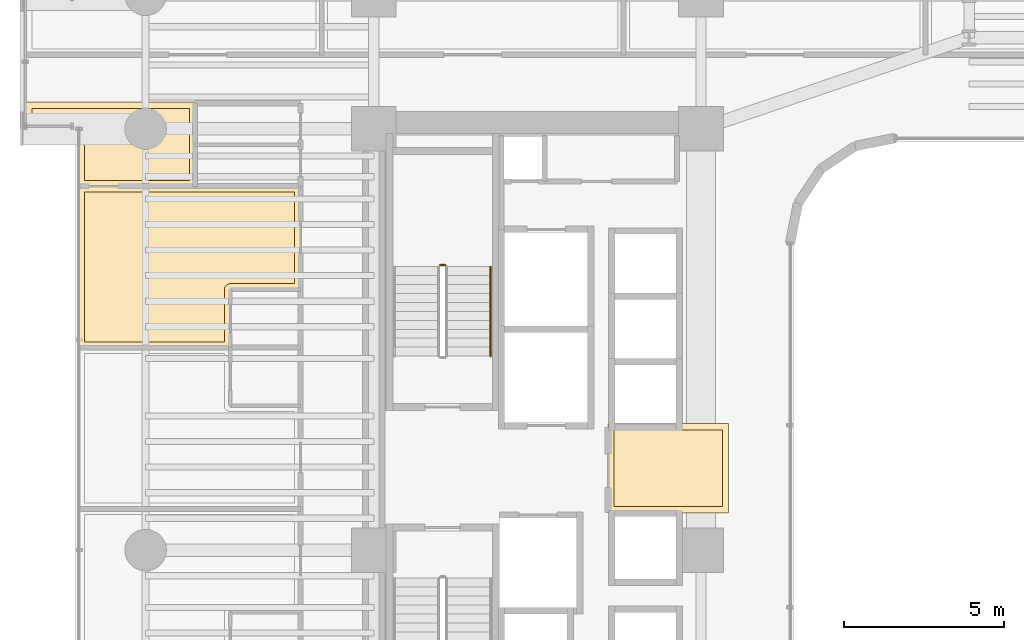
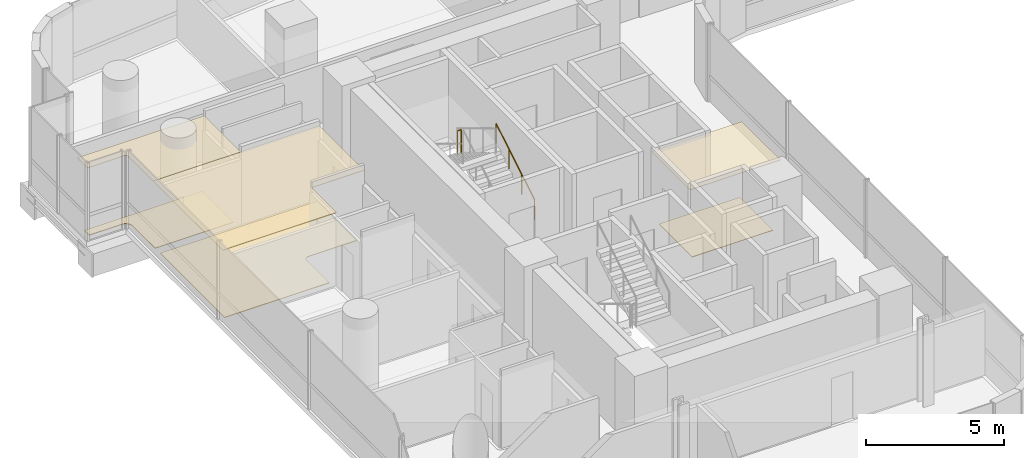
# One storey, part 38 of 40: 6 coverings, 2 railings.
"""IFC4 building model written with IfcOpenShell, lengths in metres."""

from ifc_helpers import new_model, si_unit, direction, frame, origin, origin_2d, place, context, subcontext, project, spatial, polyline, circle, outline, extrude, material, layer, layer_set, type_object, element, save


model = new_model("IFC4")

# Units and contexts
model_context = context("Model", 3, precision=1e-05, world=origin(), true_north=direction((0.0, 1.0)))
body_context = subcontext(model_context, "Body", "Model", "MODEL_VIEW")
ifc_project = project(units=[si_unit("LENGTHUNIT", "METRE"), si_unit("AREAUNIT", "SQUARE_METRE"), si_unit("VOLUMEUNIT", "CUBIC_METRE"), si_unit("PLANEANGLEUNIT", "RADIAN"), si_unit("MASSUNIT", "GRAM", prefix="KILO")], contexts=[model_context])

# Site, building, storey
site_placement = place(None, origin())
site = spatial("IfcSite", under=ifc_project, at=site_placement, CompositionType="ELEMENT")
building_placement = place(site_placement, origin())
building = spatial("IfcBuilding", under=site, at=building_placement, Name="Valdorenza Pilgrim Sanctuary Tower", CompositionType="ELEMENT")
storey_placement = place(building_placement, frame((0.0, 0.0, 81.5)))
storey = spatial("IfcBuildingStorey", under=building, at=storey_placement, Name="L20", CompositionType="ELEMENT", Elevation=81.5)

# Coverings
ifc_material_1 = material(Name="Micro-perforated acoustic mineral ceiling tile", Category="gypsum")
ifc_layer_1 = layer(ifc_material_1, 0.02490234375, Name="Micro-perforated acoustic mineral ceiling tile")
ifc_layer_set_1 = layer_set([ifc_layer_1], Name="Micro-perforated acoustic mineral ceiling tile")
covering_type_1 = type_object("IfcCoveringType", Name="COV-CLG-ACU", PredefinedType="CEILING", material=ifc_layer_set_1)
covering_1_placement = place(storey_placement, frame((0.0, 0.0, 3.159912109375)))
element("IfcCovering", 1, at=covering_1_placement, inside=storey, type_object=covering_type_1, Name="L20 Core A Passenger Lift Lobby Acoustic Ceiling", PredefinedType="CEILING", context=body_context, shape_type="SweptSolid", body=[
    extrude(outline(polyline([(-15.31298828125, 1.244384765625), (-15.31298828125, 1.24462890625), (-15.313720703125, 1.24609375), (-15.314208984375, 1.24755859375), (-15.314697265625, 1.2490234375), (-15.31494140625, 1.25048828125), (-15.31494140625, 1.251953125), (-15.31494140625, 1.35009765625), (-15.31494140625, 1.3515625), (-15.314697265625, 1.352783203125), (-15.314453125, 1.3544921875), (-15.31396484375, 1.355712890625), (-15.313232421875, 1.357177734375), (-15.3125, 1.3583984375), (-15.3115234375, 1.359619140625), (-15.310546875, 1.360595703125), (-15.3095703125, 1.361572265625), (-15.308349609375, 1.362548828125), (-15.30712890625, 1.36328125), (-15.3056640625, 1.364013671875), (-15.304443359375, 1.364501953125), (-15.302978515625, 1.36474609375), (-15.301513671875, 1.364990234375), (-15.300048828125, 1.364990234375), (-15.10205078125, 1.364990234375), (-15.1005859375, 1.364990234375), (-15.09912109375, 1.36474609375), (-15.097412109375, 1.3642578125), (-15.09619140625, 1.36376953125), (-15.0947265625, 1.363037109375), (-15.094482421875, 1.363037109375), (-13.185546875, 1.363037109375), (-13.185302734375, 1.363037109375), (-13.183837890625, 1.36376953125), (-13.1826171875, 1.3642578125), (-13.180908203125, 1.36474609375), (-13.179443359375, 1.364990234375), (-13.177978515625, 1.364990234375), (-11.550048828125, 1.364990234375), (-11.548583984375, 1.364990234375), (-11.547119140625, 1.36474609375), (-11.545654296875, 1.364501953125), (-11.544189453125, 1.364013671875), (-11.54296875, 1.36328125), (-11.541748046875, 1.362548828125), (-11.54052734375, 1.361572265625), (-11.539306640625, 1.360595703125), (-11.538330078125, 1.359619140625), (-11.53759765625, 1.3583984375), (-11.536865234375, 1.357177734375), (-11.5361328125, 1.355712890625), (-11.53564453125, 1.3544921875), (-11.535400390625, 1.352783203125), (-11.53515625, 1.3515625), (-11.534912109375, 1.35009765625), (-11.534912109375, -1.419921875), (-11.53515625, -1.42138671875), (-11.535400390625, -1.4228515625), (-11.53564453125, -1.42431640625), (-11.5361328125, -1.42578125), (-11.536865234375, -1.427001953125), (-11.53759765625, -1.42822265625), (-11.538330078125, -1.429443359375), (-11.539306640625, -1.4306640625), (-11.54052734375, -1.431640625), (-11.541748046875, -1.4326171875), (-11.54296875, -1.43310546875), (-11.544189453125, -1.433837890625), (-11.545654296875, -1.434326171875), (-11.547119140625, -1.434814453125), (-11.548583984375, -1.434814453125), (-11.550048828125, -1.43505859375), (-15.298095703125, -1.43505859375), (-15.299560546875, -1.434814453125), (-15.30078125, -1.434814453125), (-15.302490234375, -1.434326171875), (-15.3037109375, -1.433837890625), (-15.30517578125, -1.43310546875), (-15.306396484375, -1.4326171875), (-15.3076171875, -1.431640625), (-15.30859375, -1.4306640625), (-15.3095703125, -1.429443359375), (-15.310546875, -1.42822265625), (-15.311279296875, -1.427001953125), (-15.31201171875, -1.42578125), (-15.3125, -1.42431640625), (-15.312744140625, -1.4228515625), (-15.31298828125, -1.42138671875), (-15.31298828125, -1.419921875), (-15.31298828125, 1.244384765625)])), origin(), (0.0, 0.0, 1.0), 0.025146484375),
])
covering_2_placement = place(storey_placement, frame((0.0, 0.0, 3.159912109375)))
element("IfcCovering", 2, at=covering_2_placement, inside=storey, type_object=covering_type_1, Name="L20 Pilgrim Scholar Office L20-WN Acoustic Ceiling", PredefinedType="CEILING", context=body_context, shape_type="SweptSolid", body=[
    extrude(outline(polyline([(-28.237060546875, 11.39453125), (-28.237060546875, 10.103759765625), (-28.23681640625, 10.10302734375), (-28.23681640625, 10.1015625), (-28.23681640625, 10.10009765625), (-28.23681640625, 10.098388671875), (-28.237060546875, 10.09814453125), (-28.237060546875, 8.800048828125), (-28.237060546875, 8.798583984375), (-28.2373046875, 8.797119140625), (-28.237548828125, 8.795654296875), (-28.238037109375, 8.794189453125), (-28.23876953125, 8.79296875), (-28.239501953125, 8.791748046875), (-28.240478515625, 8.79052734375), (-28.241455078125, 8.789306640625), (-28.242431640625, 8.788330078125), (-28.24365234375, 8.78759765625), (-28.244873046875, 8.786865234375), (-28.246337890625, 8.7861328125), (-28.24755859375, 8.78564453125), (-28.2490234375, 8.785400390625), (-28.25048828125, 8.78515625), (-28.251953125, 8.784912109375), (-31.889892578125, 8.784912109375), (-31.8916015625, 8.78515625), (-31.892822265625, 8.785400390625), (-31.894287109375, 8.78564453125), (-31.895751953125, 8.7861328125), (-31.897216796875, 8.786865234375), (-31.898193359375, 8.78759765625), (-31.8994140625, 8.788330078125), (-31.900634765625, 8.789306640625), (-31.901611328125, 8.79052734375), (-31.902587890625, 8.791748046875), (-31.9033203125, 8.79296875), (-31.90380859375, 8.794189453125), (-31.904296875, 8.795654296875), (-31.90478515625, 8.797119140625), (-31.90478515625, 8.798583984375), (-31.905029296875, 8.800048828125), (-31.905029296875, 10.599609375), (-31.905517578125, 10.609375), (-31.90673828125, 10.618408203125), (-31.9091796875, 10.627685546875), (-31.912109375, 10.63623046875), (-31.916259765625, 10.644775390625), (-31.9208984375, 10.65283203125), (-31.926513671875, 10.660400390625), (-31.932861328125, 10.667236328125), (-31.939697265625, 10.67333984375), (-31.947265625, 10.678955078125), (-31.955078125, 10.683837890625), (-31.963623046875, 10.687744140625), (-31.972412109375, 10.69091796875), (-31.9814453125, 10.693115234375), (-31.99072265625, 10.694580078125), (-32.00048828125, 10.695068359375), (-33.5400390625, 10.695068359375), (-33.54150390625, 10.695068359375), (-33.54296875, 10.6953125), (-33.54443359375, 10.695556640625), (-33.545654296875, 10.696044921875), (-33.547119140625, 10.69677734375), (-33.54833984375, 10.697509765625), (-33.549560546875, 10.698486328125), (-33.550537109375, 10.699462890625), (-33.551513671875, 10.700439453125), (-33.552490234375, 10.70166015625), (-33.55322265625, 10.702880859375), (-33.553955078125, 10.704345703125), (-33.554443359375, 10.70556640625), (-33.5546875, 10.70703125), (-33.554931640625, 10.70849609375), (-33.554931640625, 10.7099609375), (-33.554931640625, 11.419921875), (-33.554931640625, 11.42138671875), (-33.5546875, 11.4228515625), (-33.554443359375, 11.42431640625), (-33.553955078125, 11.42578125), (-33.55322265625, 11.427001953125), (-33.552490234375, 11.42822265625), (-33.551513671875, 11.429443359375), (-33.550537109375, 11.4306640625), (-33.549560546875, 11.431640625), (-33.54833984375, 11.4326171875), (-33.547119140625, 11.43310546875), (-33.545654296875, 11.433837890625), (-33.54443359375, 11.434326171875), (-33.54296875, 11.434814453125), (-33.54150390625, 11.434814453125), (-33.5400390625, 11.43505859375), (-28.25, 11.43505859375), (-28.24853515625, 11.434814453125), (-28.2470703125, 11.434814453125), (-28.24560546875, 11.434326171875), (-28.244384765625, 11.433837890625), (-28.242919921875, 11.43310546875), (-28.24169921875, 11.4326171875), (-28.240478515625, 11.431640625), (-28.239501953125, 11.4306640625), (-28.23828125, 11.429443359375), (-28.237548828125, 11.42822265625), (-28.23681640625, 11.427001953125), (-28.236083984375, 11.42578125), (-28.235595703125, 11.42431640625), (-28.2353515625, 11.4228515625), (-28.235107421875, 11.42138671875), (-28.235107421875, 11.419921875), (-28.235107421875, 11.402099609375), (-28.235107421875, 11.400390625), (-28.2353515625, 11.39892578125), (-28.235595703125, 11.3974609375), (-28.236083984375, 11.39599609375), (-28.23681640625, 11.394775390625), (-28.237060546875, 11.39453125)])), origin(), (0.0, 0.0, 1.0), 0.025146484375),
])
covering_3_placement = place(storey_placement, frame((0.0, 0.0, 3.159912109375)))
element("IfcCovering", 3, at=covering_3_placement, inside=storey, type_object=covering_type_1, Name="L20 Pilgrim Guest Room L20-W4 Acoustic Ceiling", PredefinedType="CEILING", context=body_context, shape_type="SweptSolid", body=[
    extrude(outline(polyline([(-28.253662109375, 8.81298828125), (-28.253173828125, 8.81298828125), (-28.25146484375, 8.813232421875), (-28.25, 8.813232421875), (-28.24853515625, 8.81298828125), (-28.248291015625, 8.81298828125), (-24.949951171875, 8.81298828125), (-24.948486328125, 8.81298828125), (-24.947021484375, 8.812744140625), (-24.945556640625, 8.8125), (-24.9443359375, 8.81201171875), (-24.94287109375, 8.811279296875), (-24.941650390625, 8.810546875), (-24.9404296875, 8.8095703125), (-24.939453125, 8.80859375), (-24.9384765625, 8.8076171875), (-24.9375, 8.806396484375), (-24.936767578125, 8.80517578125), (-24.93603515625, 8.8037109375), (-24.935546875, 8.802490234375), (-24.935302734375, 8.80078125), (-24.93505859375, 8.799560546875), (-24.93505859375, 8.798095703125), (-24.93505859375, 5.56689453125), (-24.93505859375, 5.5654296875), (-24.935302734375, 5.564208984375), (-24.935546875, 5.5625), (-24.93603515625, 5.561279296875), (-24.936767578125, 5.559814453125), (-24.9375, 5.55859375), (-24.9384765625, 5.5576171875), (-24.939453125, 5.556396484375), (-24.9404296875, 5.555419921875), (-24.941650390625, 5.554443359375), (-24.94287109375, 5.5537109375), (-24.9443359375, 5.552978515625), (-24.945556640625, 5.552490234375), (-24.947021484375, 5.55224609375), (-24.948486328125, 5.552001953125), (-24.949951171875, 5.552001953125), (-27.136962890625, 5.552001953125), (-27.136962890625, 3.7470703125), (-27.13720703125, 3.74560546875), (-27.13720703125, 3.744140625), (-27.1376953125, 3.74267578125), (-27.13818359375, 3.7412109375), (-27.138916015625, 3.739990234375), (-27.139404296875, 3.73876953125), (-27.140380859375, 3.737548828125), (-27.141357421875, 3.736328125), (-27.142578125, 3.7353515625), (-27.143798828125, 3.734619140625), (-27.14501953125, 3.73388671875), (-27.146240234375, 3.733154296875), (-27.147705078125, 3.732666015625), (-27.149169921875, 3.732421875), (-27.150390625, 3.732177734375), (-27.152099609375, 3.73193359375), (-31.889892578125, 3.73193359375), (-31.8916015625, 3.732177734375), (-31.892822265625, 3.732421875), (-31.894287109375, 3.732666015625), (-31.895751953125, 3.733154296875), (-31.897216796875, 3.73388671875), (-31.898193359375, 3.734619140625), (-31.8994140625, 3.7353515625), (-31.900634765625, 3.736328125), (-31.901611328125, 3.737548828125), (-31.902587890625, 3.73876953125), (-31.9033203125, 3.739990234375), (-31.90380859375, 3.7412109375), (-31.904296875, 3.74267578125), (-31.90478515625, 3.744140625), (-31.90478515625, 3.74560546875), (-31.905029296875, 3.7470703125), (-31.905029296875, 8.798095703125), (-31.90478515625, 8.799560546875), (-31.90478515625, 8.80078125), (-31.904296875, 8.802490234375), (-31.90380859375, 8.8037109375), (-31.9033203125, 8.80517578125), (-31.902587890625, 8.806396484375), (-31.901611328125, 8.8076171875), (-31.900634765625, 8.80859375), (-31.8994140625, 8.8095703125), (-31.898193359375, 8.810546875), (-31.897216796875, 8.811279296875), (-31.895751953125, 8.81201171875), (-31.894287109375, 8.8125), (-31.892822265625, 8.812744140625), (-31.8916015625, 8.81298828125), (-31.889892578125, 8.81298828125), (-28.253662109375, 8.81298828125)])), origin(), (0.0, 0.0, 1.0), 0.025146484375),
])
ifc_material_2 = material(Name="Engineered European oak timber flooring", Category="wood")
ifc_layer_2 = layer(ifc_material_2, 0.02197265625, Name="Engineered European oak timber flooring")
ifc_layer_set_2 = layer_set([ifc_layer_2], Name="Engineered European oak timber flooring")
covering_type_2 = type_object("IfcCoveringType", Name="COV-FLR-OAK", PredefinedType="FLOORING", material=ifc_layer_set_2)
covering_4_placement = place(storey_placement, origin())
element("IfcCovering", 4, at=covering_4_placement, inside=storey, type_object=covering_type_2, Name="L20 Pilgrim Guest Room L20-W4 Flooring", PredefinedType="FLOORING", context=body_context, shape_type="SweptSolid", body=[
    extrude(outline(polyline([(-28.250244140625, 8.617919921875), (-28.25, 8.617919921875), (-25.1298828125, 8.617919921875), (-25.1298828125, 5.7470703125), (-27.14990234375, 5.7470703125), (-27.15869140625, 5.746826171875), (-27.158935546875, 5.746826171875), (-27.176513671875, 5.7451171875), (-27.1767578125, 5.7451171875), (-27.194091796875, 5.74169921875), (-27.1943359375, 5.741455078125), (-27.211181640625, 5.736328125), (-27.21142578125, 5.736328125), (-27.227783203125, 5.7294921875), (-27.227783203125, 5.7294921875), (-27.243408203125, 5.72119140625), (-27.24365234375, 5.72119140625), (-27.25830078125, 5.711181640625), (-27.258544921875, 5.711181640625), (-27.272216796875, 5.699951171875), (-27.272216796875, 5.69970703125), (-27.284912109375, 5.687255859375), (-27.284912109375, 5.68701171875), (-27.296142578125, 5.673583984375), (-27.296142578125, 5.67333984375), (-27.30615234375, 5.65869140625), (-27.30615234375, 5.658447265625), (-27.314453125, 5.642822265625), (-27.314697265625, 5.642578125), (-27.3212890625, 5.62646484375), (-27.3212890625, 5.626220703125), (-27.326416015625, 5.609375), (-27.32666015625, 5.609130859375), (-27.330078125, 5.591796875), (-27.330078125, 5.591552734375), (-27.331787109375, 5.573974609375), (-27.331787109375, 5.57373046875), (-27.33203125, 5.56494140625), (-27.33203125, 3.927001953125), (-31.7099609375, 3.927001953125), (-31.7099609375, 8.617919921875), (-28.251953125, 8.617919921875), (-28.2509765625, 8.617919921875), (-28.250244140625, 8.617919921875)])), origin(), (0.0, 0.0, 1.0), 0.02490234375),
])
ifc_material_3 = material(Name="Honed travertine stone flooring", Category="masonry")
ifc_layer_3 = layer(ifc_material_3, 0.030029296875, Name="Honed travertine stone flooring")
ifc_layer_set_3 = layer_set([ifc_layer_3], Name="Honed travertine stone flooring")
covering_type_3 = type_object("IfcCoveringType", Name="COV-FLR-TRV", PredefinedType="FLOORING", material=ifc_layer_set_3)
covering_5_placement = place(storey_placement, origin())
element("IfcCovering", 5, at=covering_5_placement, inside=storey, type_object=covering_type_3, Name="L20 Core A Passenger Lift Lobby Flooring", PredefinedType="FLOORING", context=body_context, shape_type="SweptSolid", body=[
    extrude(outline(polyline([(-15.117919921875, 1.169189453125), (-15.10888671875, 1.168212890625), (-15.10888671875, 1.168212890625), (-15.10009765625, 1.16796875), (-13.179931640625, 1.16796875), (-13.1796875, 1.16796875), (-11.72998046875, 1.169921875), (-11.72998046875, -1.239990234375), (-15.117919921875, -1.239990234375), (-15.117919921875, 1.169189453125)])), origin(), (0.0, 0.0, 1.0), 0.02490234375),
])
covering_6_placement = place(storey_placement, origin())
element("IfcCovering", 6, at=covering_6_placement, inside=storey, type_object=covering_type_3, Name="L20 Pilgrim Scholar Office L20-WN Flooring", PredefinedType="FLOORING", context=body_context, shape_type="SweptSolid", body=[
    extrude(outline(polyline([(-28.431884765625, 11.239990234375), (-28.431884765625, 10.10205078125), (-28.431884765625, 10.10107421875), (-28.431884765625, 10.100341796875), (-28.431884765625, 10.10009765625), (-28.431884765625, 8.97998046875), (-31.7099609375, 8.97998046875), (-31.7099609375, 10.60009765625), (-31.710205078125, 10.60888671875), (-31.710693359375, 10.61962890625), (-31.71240234375, 10.63720703125), (-31.714111328125, 10.64794921875), (-31.717529296875, 10.665283203125), (-31.72021484375, 10.67578125), (-31.725341796875, 10.692626953125), (-31.72900390625, 10.70263671875), (-31.735595703125, 10.718994140625), (-31.740234375, 10.728759765625), (-31.74853515625, 10.744384765625), (-31.754150390625, 10.753662109375), (-31.763916015625, 10.768310546875), (-31.7705078125, 10.777099609375), (-31.781494140625, 10.790771484375), (-31.788818359375, 10.798583984375), (-31.80126953125, 10.811279296875), (-31.809326171875, 10.818359375), (-31.822998046875, 10.82958984375), (-31.831787109375, 10.8359375), (-31.84619140625, 10.845947265625), (-31.855712890625, 10.851318359375), (-31.87109375, 10.859619140625), (-31.880859375, 10.8642578125), (-31.897216796875, 10.87109375), (-31.907470703125, 10.874755859375), (-31.92431640625, 10.8798828125), (-31.934814453125, 10.882568359375), (-31.9521484375, 10.885986328125), (-31.962890625, 10.887451171875), (-31.98046875, 10.889404296875), (-31.9912109375, 10.889892578125), (-32.0, 10.889892578125), (-33.360107421875, 10.889892578125), (-33.360107421875, 11.239990234375), (-28.431884765625, 11.239990234375)])), origin(), (0.0, 0.0, 1.0), 0.02490234375),
])

# Railings
ifc_material_4 = material(Name="Stainless steel Grade 316", Category="steel")
railing_type_1 = type_object("IfcRailingType", Name="RLG-GRD-1120", PredefinedType="GUARDRAIL", material=ifc_material_4)
railing_1_placement = place(storey_placement, frame((-20.419921875, 6.330078125, 1.85009765625)))
element("IfcRailing", 7, at=railing_1_placement, inside=storey, type_object=railing_type_1, Name="L20 ST-A1 stair guard 2", PredefinedType="GUARDRAIL", context=body_context, shape_type="SweptSolid", body=[
    extrude(circle(Radius=0.02392578125, at=origin_2d()), frame((0.0, 0.0, 1.076171875), z_axis=(-1.0, 0.0, 0.0), x_axis=(0.0, -1.0, 0.0)), (0.0, 0.0, 1.0), 0.150146484375),
    extrude(circle(Radius=0.02099609375, at=origin_2d()), origin(), (0.0, 0.0, 1.0), 1.052001953125),
    extrude(circle(Radius=0.02099609375, at=origin_2d()), frame((-0.150146484375, 0.0, 0.0)), (0.0, 0.0, 1.0), 1.052001953125),
])
ifc_material_5 = material(Name="Brushed stainless steel Grade 316", Category="steel")
railing_type_2 = type_object("IfcRailingType", Name="RLG-HND-920", PredefinedType="HANDRAIL", material=ifc_material_5)
railing_2_placement = place(storey_placement, frame((-18.989990234375, 3.47998046875, 0.168212890625)))
element("IfcRailing", 8, at=railing_2_placement, inside=storey, type_object=railing_type_2, Name="L20 ST-A1 stair handrail 1", PredefinedType="HANDRAIL", context=body_context, shape_type="SweptSolid", body=[
    extrude(circle(Radius=0.02392578125, at=origin_2d()), frame((0.0, 0.0, 0.8759765625), z_axis=(0.0, 0.857242210791, 0.514913383045), x_axis=(-1.0, 0.0, 0.0)), (0.0, 0.0, 1.0), 3.266357421875),
    extrude(circle(Radius=0.02099609375, at=origin_2d()), origin(), (0.0, 0.0, 1.0), 0.851806640625),
    extrude(circle(Radius=0.02099609375, at=origin_2d()), frame((0.0, 0.933349609375, 0.560546875)), (0.0, 0.0, 1.0), 0.851806640625),
    extrude(circle(Radius=0.02099609375, at=origin_2d()), frame((0.0, 1.86669921875, 1.121337890625)), (0.0, 0.0, 1.0), 0.851806640625),
    extrude(circle(Radius=0.02099609375, at=origin_2d()), frame((0.0, 2.800048828125, 1.681884765625)), (0.0, 0.0, 1.0), 0.851806640625),
])

save(model, "model.ifc")
